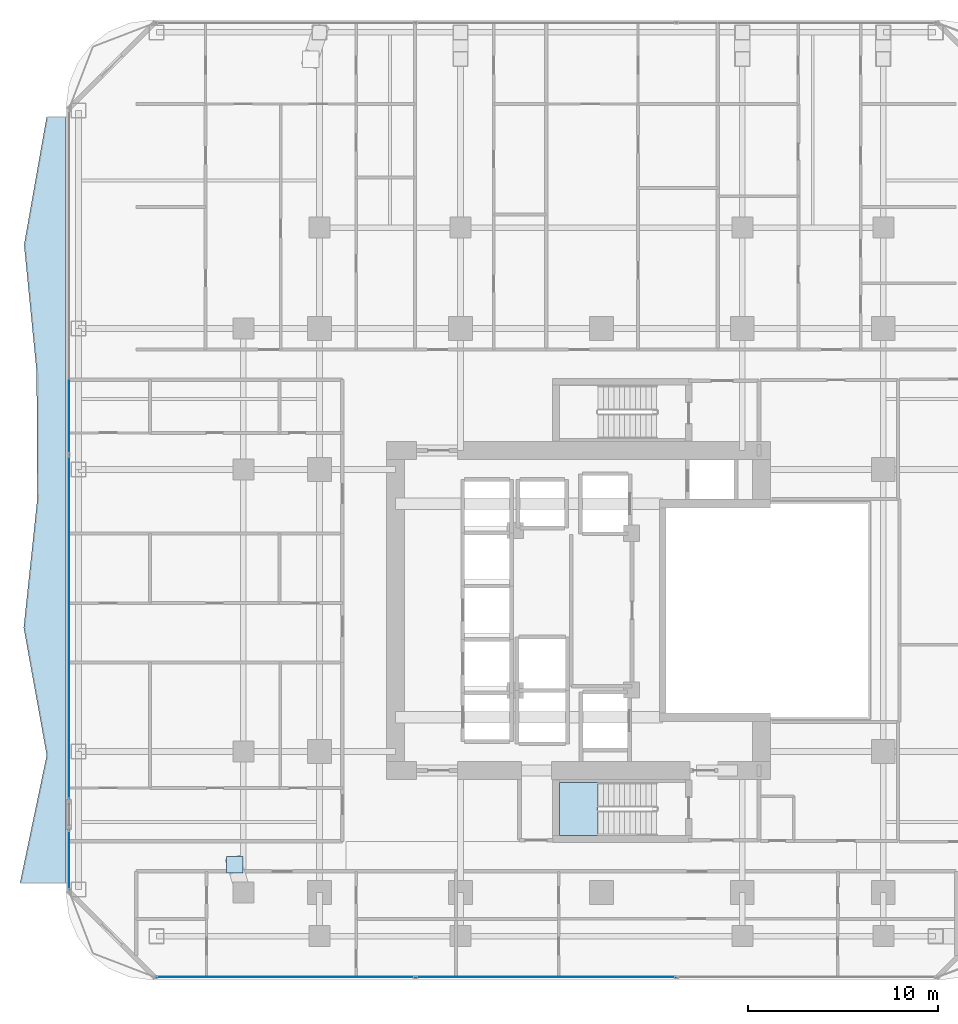
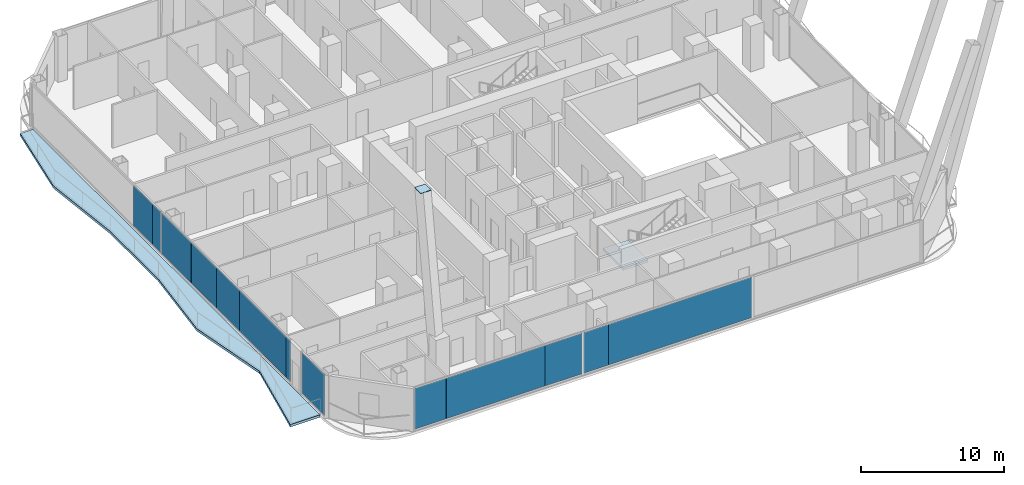
# One storey, part 22 of 32: 14 plates, 2 slabs, 4 elements without a shape of their own.
"""IFC4 building model written with IfcOpenShell, lengths in metres."""

from ifc_helpers import new_model, si_unit, direction, frame, origin, origin_2d, place, context, subcontext, project, spatial, polyline, rectangle, outline, extrude, material, layer, layer_set, type_object, element, aggregate, save


model = new_model("IFC4")

# Units and contexts
model_context = context("Model", 3, precision=1e-05, world=origin(), true_north=direction((0.0, 1.0)))
body_context = subcontext(model_context, "Body", "Model", "MODEL_VIEW")
ifc_project = project(units=[si_unit("LENGTHUNIT", "METRE"), si_unit("AREAUNIT", "SQUARE_METRE"), si_unit("VOLUMEUNIT", "CUBIC_METRE"), si_unit("PLANEANGLEUNIT", "RADIAN"), si_unit("MASSUNIT", "GRAM", prefix="KILO")], contexts=[model_context])

# Site, building, storey
site_placement = place(None, origin())
site = spatial("IfcSite", under=ifc_project, at=site_placement, CompositionType="ELEMENT")
building_placement = place(site_placement, origin())
building = spatial("IfcBuilding", under=site, at=building_placement, Name="Khorvyn Point Tower", CompositionType="ELEMENT")
storey_placement = place(building_placement, frame((0.0, 0.0, 93.0)))
storey = spatial("IfcBuildingStorey", under=building, at=storey_placement, Name="L23", CompositionType="ELEMENT", Elevation=93.0)

# Slab
ifc_material_1 = material(Name="Concrete C40/50", Category="concrete")
ifc_layer_1 = layer(ifc_material_1, 0.2099609375)
ifc_layer_set_1 = layer_set([ifc_layer_1], Name="Concrete C40/50 Rippling Balcony Slab 210")
slab_type_1 = type_object("IfcSlabType", Name="Concrete C40/50 Rippling Balcony Slab 210", PredefinedType="USERDEFINED", material=ifc_layer_set_1)
slab_1_placement = place(storey_placement, frame((0.0, 0.0, -0.2099609375)))
element("IfcSlab", 1, at=slab_1_placement, inside=storey, type_object=slab_type_1, Name="L23 West Sinusoidal Rippling Balcony", ObjectType="BALCONY", PredefinedType="USERDEFINED", context=body_context, shape_type="SweptSolid", body=[
    extrude(outline(polyline([(-28.10009765625, 25.89990234375), (-29.1279296875, 25.89990234375), (-30.3095703125, 19.199951171875), (-29.648193359375, 12.5), (-29.62060546875, 5.800048828125), (-30.330078125, -0.89990234375), (-29.11962890625, -7.60009765625), (-30.5224609375, -14.300048828125), (-28.10009765625, -14.300048828125), (-28.10009765625, 25.89990234375)])), origin(), (0.0, 0.0, 1.0), 0.2099609375),
])

# Stair, slab
stair_type = type_object("IfcStairType", Name="Tower Concrete C40/50 Dogleg Exit Stair", PredefinedType="HALF_TURN_STAIR", material=ifc_material_1)
stair_placement = place(storey_placement, origin())
stair = element("IfcStair", 2, at=stair_placement, inside=storey, type_object=stair_type, Name="L23 Tower Smokeproof Exit Stair South", PredefinedType="HALF_TURN_STAIR")
ifc_layer_2 = layer(ifc_material_1, 0.199951171875)
ifc_layer_set_2 = layer_set([ifc_layer_2], Name="Concrete C40/50 Stair Landing Slab 200")
slab_type_2 = type_object("IfcSlabType", Name="Concrete C40/50 Stair Landing Slab 200", PredefinedType="LANDING", material=ifc_layer_set_2)
slab_2_placement = place(storey_placement, frame((0.0, 0.0, 1.75)))
slab_2 = element("IfcSlab", 3, at=slab_2_placement, type_object=slab_type_2, Name="ST-01 landing 1", PredefinedType="LANDING", context=body_context, shape_type="SweptSolid", body=[
    extrude(outline(polyline([(-0.179931640625, -9.02001953125), (-2.199951171875, -9.02001953125), (-2.199951171875, -11.820068359375), (-0.179931640625, -11.820068359375), (-0.179931640625, -9.02001953125)])), origin(), (0.0, 0.0, 1.0), 0.199951171875),
])
aggregate(stair, [slab_2])

# Plate
ifc_material_2 = material(Name="Steel S450", Category="steel")
ifc_layer_3 = layer(ifc_material_2, 0.031982421875)
ifc_layer_set_3 = layer_set([ifc_layer_3], Name="Steel S450 Exoskeleton End Cap Plate 32")
plate_type_1 = type_object("IfcPlateType", Name="Steel S450 Exoskeleton End Cap Plate 32", PredefinedType="USERDEFINED", material=ifc_layer_set_3)
plate_1_placement = place(storey_placement, frame((-19.250244140625, -13.34912109375, 15.59423828125), z_axis=(0.0, 0.0, 1.0), x_axis=(1.0, 0.0, 0.0)))
element("IfcPlate", 4, at=plate_1_placement, inside=storey, type_object=plate_type_1, Name="Plate", ObjectType="GUSSET", PredefinedType="USERDEFINED", context=body_context, shape_type="SweptSolid", body=[
    extrude(rectangle(XDim=0.860107421875, YDim=0.860107421875, at=origin_2d()), origin(), (0.0, 0.0, 1.0), 0.031982421875),
])

# Curtain wall, plates
ifc_material_3 = material(Name="Anodised aluminium 6063-T6 and laminated Low-E glass", Category="aluminium")
ifc_layer_4 = layer(ifc_material_3, 0.18994140625)
ifc_layer_set_4 = layer_set([ifc_layer_4], Name="Stick-Built Finned Residential Curtain Wall CW-SYS-02")
curtain_wall_type = type_object("IfcCurtainWallType", Name="Stick-Built Finned Residential Curtain Wall CW-SYS-02", PredefinedType="NOTDEFINED", material=ifc_layer_set_4)
curtain_wall_1_placement = place(storey_placement, origin())
curtain_wall_1 = element("IfcCurtainWall", 5, at=curtain_wall_1_placement, inside=storey, type_object=curtain_wall_type, Name="Curtain Wall", PredefinedType="NOTDEFINED")
ifc_material_4 = material(Name="Laminated Low-E insulated glass", Category="glass")
ifc_layer_5 = layer(ifc_material_4, 0.028076171875)
ifc_layer_set_5 = layer_set([ifc_layer_5], Name="Tempered Low-E Vision Glazing Panel CW-GL28")
plate_type_2 = type_object("IfcPlateType", Name="Tempered Low-E Vision Glazing Panel CW-GL28", PredefinedType="CURTAIN_PANEL", material=ifc_layer_set_5)
plate_2_placement = place(storey_placement, frame((-8.697021484375, -19.25, 0.10009765625), z_axis=(0.0, 0.0, 1.0), x_axis=(-1.0, 0.0, 0.0)))
plate_2 = element("IfcPlate", 6, at=plate_2_placement, type_object=plate_type_2, Name="Panel", PredefinedType="CURTAIN_PANEL", context=body_context, shape_type="SweptSolid", body=[
    extrude(rectangle(XDim=1.998046875, YDim=0.028076171875, at=origin_2d()), origin(), (0.0, 0.0, 1.0), 3.47998046875),
])
plate_3_placement = place(storey_placement, frame((-1.89697265625, -19.25, 0.10009765625), z_axis=(0.0, 0.0, 1.0), x_axis=(-1.0, 0.0, 0.0)))
plate_3 = element("IfcPlate", 7, at=plate_3_placement, type_object=plate_type_2, Name="Panel", PredefinedType="CURTAIN_PANEL", context=body_context, shape_type="SweptSolid", body=[
    extrude(rectangle(XDim=11.5859375, YDim=0.028076171875, at=origin_2d()), origin(), (0.0, 0.0, 1.0), 3.47998046875),
])
plate_4_placement = place(storey_placement, frame((-22.068115234375, -19.25, 0.10009765625), z_axis=(0.0, 0.0, 1.0), x_axis=(-1.0, 0.0, 0.0)))
plate_4 = element("IfcPlate", 8, at=plate_4_placement, type_object=plate_type_2, Name="Panel", PredefinedType="CURTAIN_PANEL", context=body_context, shape_type="SweptSolid", body=[
    extrude(rectangle(XDim=2.555908203125, YDim=0.028076171875, at=origin_2d()), origin(), (0.0, 0.0, 1.0), 3.47998046875),
])
plate_5_placement = place(storey_placement, frame((-16.798583984375, -19.25, 0.10009765625), z_axis=(0.0, 0.0, 1.0), x_axis=(-1.0, 0.0, 0.0)))
plate_5 = element("IfcPlate", 9, at=plate_5_placement, type_object=plate_type_2, Name="Panel", PredefinedType="CURTAIN_PANEL", context=body_context, shape_type="SweptSolid", body=[
    extrude(rectangle(XDim=7.967041015625, YDim=0.028076171875, at=origin_2d()), origin(), (0.0, 0.0, 1.0), 3.47998046875),
])
plate_6_placement = place(storey_placement, frame((-11.305419921875, -19.25, 0.10009765625), z_axis=(0.0, 0.0, 1.0), x_axis=(-1.0, 0.0, 0.0)))
plate_6 = element("IfcPlate", 10, at=plate_6_placement, type_object=plate_type_2, Name="Panel", PredefinedType="CURTAIN_PANEL", context=body_context, shape_type="SweptSolid", body=[
    extrude(rectangle(XDim=3.0029296875, YDim=0.028076171875, at=origin_2d()), origin(), (0.0, 0.0, 1.0), 3.47998046875),
])
aggregate(curtain_wall_1, [plate_2, plate_3, plate_4, plate_5, plate_6])

# Curtain wall, plate
curtain_wall_2_placement = place(storey_placement, origin())
curtain_wall_2 = element("IfcCurtainWall", 11, at=curtain_wall_2_placement, inside=storey, type_object=curtain_wall_type, Name="Curtain Wall", PredefinedType="NOTDEFINED")
plate_7_placement = place(storey_placement, frame((-27.949951171875, -13.094970703125, 0.10009765625), z_axis=(0.0, 0.0, 1.0), x_axis=(0.0, 1.0, 0.0)))
plate_7 = element("IfcPlate", 12, at=plate_7_placement, type_object=plate_type_2, Name="Panel", PredefinedType="CURTAIN_PANEL", context=body_context, shape_type="SweptSolid", body=[
    extrude(rectangle(XDim=3.110107421875, YDim=0.028076171875, at=origin_2d()), origin(), (0.0, 0.0, 1.0), 3.47998046875),
])
aggregate(curtain_wall_2, [plate_7])

# Curtain wall, plates
curtain_wall_3_placement = place(storey_placement, origin())
curtain_wall_3 = element("IfcCurtainWall", 13, at=curtain_wall_3_placement, inside=storey, type_object=curtain_wall_type, Name="Curtain Wall", PredefinedType="NOTDEFINED")
plate_8_placement = place(storey_placement, frame((-27.949951171875, -9.580078125, 0.10009765625), z_axis=(0.0, 0.0, 1.0), x_axis=(0.0, 1.0, 0.0)))
plate_8 = element("IfcPlate", 14, at=plate_8_placement, type_object=plate_type_2, Name="Panel", PredefinedType="CURTAIN_PANEL", context=body_context, shape_type="SweptSolid", body=[
    extrude(rectangle(XDim=0.632080078125, YDim=0.028076171875, at=origin_2d()), origin(), (0.0, 0.0, 1.0), 3.47998046875),
])
plate_9_placement = place(storey_placement, frame((-27.949951171875, -6.025390625, 0.10009765625), z_axis=(0.0, 0.0, 1.0), x_axis=(0.0, 1.0, 0.0)))
plate_9 = element("IfcPlate", 15, at=plate_9_placement, type_object=plate_type_2, Name="Panel", PredefinedType="CURTAIN_PANEL", context=body_context, shape_type="SweptSolid", body=[
    extrude(rectangle(XDim=6.4609375, YDim=0.028076171875, at=origin_2d()), origin(), (0.0, 0.0, 1.0), 3.47998046875),
])
plate_10_placement = place(storey_placement, frame((-27.949951171875, -1.173583984375, 0.10009765625), z_axis=(0.0, 0.0, 1.0), x_axis=(0.0, 1.0, 0.0)))
plate_10 = element("IfcPlate", 16, at=plate_10_placement, type_object=plate_type_2, Name="Panel", PredefinedType="CURTAIN_PANEL", context=body_context, shape_type="SweptSolid", body=[
    extrude(rectangle(XDim=3.22705078125, YDim=0.028076171875, at=origin_2d()), origin(), (0.0, 0.0, 1.0), 3.47998046875),
])
plate_11_placement = place(storey_placement, frame((-27.949951171875, 2.2119140625, 0.10009765625), z_axis=(0.0, 0.0, 1.0), x_axis=(0.0, 1.0, 0.0)))
plate_11 = element("IfcPlate", 17, at=plate_11_placement, type_object=plate_type_2, Name="Panel", PredefinedType="CURTAIN_PANEL", context=body_context, shape_type="SweptSolid", body=[
    extrude(rectangle(XDim=3.528076171875, YDim=0.028076171875, at=origin_2d()), origin(), (0.0, 0.0, 1.0), 3.47998046875),
])
plate_12_placement = place(storey_placement, frame((-27.949951171875, 6.052490234375, 0.10009765625), z_axis=(0.0, 0.0, 1.0), x_axis=(0.0, 1.0, 0.0)))
plate_12 = element("IfcPlate", 18, at=plate_12_placement, type_object=plate_type_2, Name="Panel", PredefinedType="CURTAIN_PANEL", context=body_context, shape_type="SweptSolid", body=[
    extrude(rectangle(XDim=4.136962890625, YDim=0.028076171875, at=origin_2d()), origin(), (0.0, 0.0, 1.0), 3.47998046875),
])
plate_13_placement = place(storey_placement, frame((-27.949951171875, 8.802490234375, 0.10009765625), z_axis=(0.0, 0.0, 1.0), x_axis=(0.0, 1.0, 0.0)))
plate_13 = element("IfcPlate", 19, at=plate_13_placement, type_object=plate_type_2, Name="Panel", PredefinedType="CURTAIN_PANEL", context=body_context, shape_type="SweptSolid", body=[
    extrude(rectangle(XDim=1.14697265625, YDim=0.028076171875, at=origin_2d()), origin(), (0.0, 0.0, 1.0), 3.47998046875),
])
plate_14_placement = place(storey_placement, frame((-27.949951171875, 10.719970703125, 0.10009765625), z_axis=(0.0, 0.0, 1.0), x_axis=(0.0, 1.0, 0.0)))
plate_14 = element("IfcPlate", 20, at=plate_14_placement, type_object=plate_type_2, Name="Panel", PredefinedType="CURTAIN_PANEL", context=body_context, shape_type="SweptSolid", body=[
    extrude(rectangle(XDim=2.672119140625, YDim=0.028076171875, at=origin_2d()), origin(), (0.0, 0.0, 1.0), 3.47998046875),
])
aggregate(curtain_wall_3, [plate_8, plate_9, plate_10, plate_11, plate_12, plate_13, plate_14])

save(model, "model.ifc")
